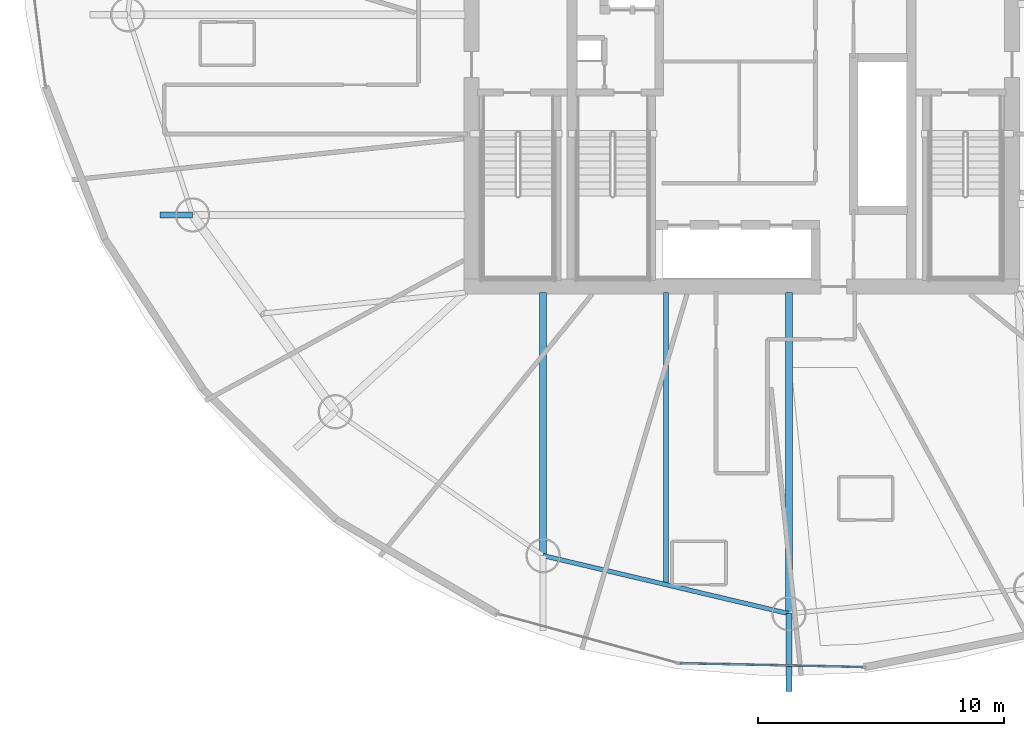
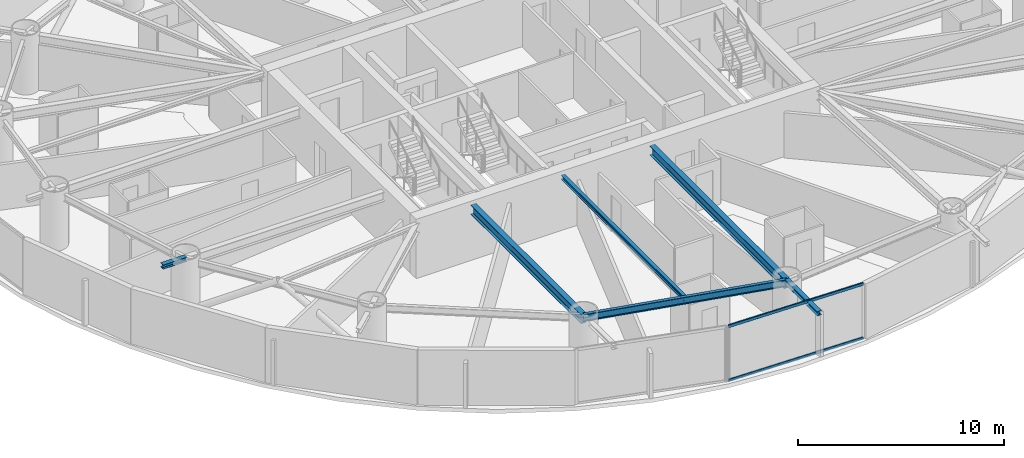
# One storey, part 3 of 26: 6 beams, 2 members, 1 element without a shape of its own.
"""IFC4 building model written with IfcOpenShell, lengths in metres."""

import ifcopenshell
import ifcopenshell.guid

model = None  # the IFC model being written
_history = None  # IfcOwnerHistory: only IFC2X3 demands one
_inside = {}  # id of a spatial element -> (the spatial element, [elements in it])
_under = {}  # id of a project, library or spatial element -> (it, [spatial elements below it])
_declared = {}  # id of a project -> (the project, [libraries it declares])
_typed = {}  # id of a type object -> (the type object, [elements of that type])
_made_of = {}  # id of a material, layer set ... -> (it, [elements and type objects made of it])


def new_model(schema):
    """Start an empty IFC model of exactly this schema.

    Asked for "IFC4X3", IfcOpenShell would pick the latest addendum, in which some entities
    have other attributes; the version numbers below select the first issue.
    IFC2X3 requires an IfcOwnerHistory on every rooted entity: one is made here for all.
    """
    global model, _history
    if schema == "IFC4X3":
        model = ifcopenshell.file(schema_version=(4, 3, 0, 0))
    else:
        model = ifcopenshell.file(schema=schema)
    _inside.clear()
    _under.clear()
    _declared.clear()
    _typed.clear()
    _made_of.clear()
    _history = None
    if model.schema == "IFC2X3":
        org = make("IfcOrganization", Name="unknown")
        user = make(
            "IfcPersonAndOrganization",
            ThePerson=make("IfcPerson", FamilyName="unknown"),
            TheOrganization=org,
        )
        app = make(
            "IfcApplication",
            ApplicationDeveloper=org,
            Version="unknown",
            ApplicationFullName="unknown",
            ApplicationIdentifier="unknown",
        )
        _history = make(
            "IfcOwnerHistory",
            OwningUser=user,
            OwningApplication=app,
            ChangeAction="ADDED",
            CreationDate=0,
        )
    return model


def make(cls, **values):
    """One entity of the class cls with the attributes given. An attribute that is None is left unset."""
    return model.create_entity(
        cls, **{name: value for name, value in values.items() if value is not None}
    )


def rooted(cls, **values):
    """An entity with a GlobalId (a new one), such as an element, a storey or a relation."""
    return make(cls, GlobalId=ifcopenshell.guid.new(), OwnerHistory=_history, **values)


def si_unit(unit_type, name, prefix=None):
    """IfcSIUnit, for example si_unit("LENGTHUNIT", "METRE", prefix="MILLI")."""
    return make("IfcSIUnit", UnitType=unit_type, Prefix=prefix, Name=name)


def assignment(units):
    """IfcUnitAssignment: the units of a project."""
    return None if units is None else make("IfcUnitAssignment", Units=units)


def point(xyz):
    """IfcCartesianPoint."""
    return None if xyz is None else make("IfcCartesianPoint", Coordinates=xyz)


def direction(xyz):
    """IfcDirection."""
    return None if xyz is None else make("IfcDirection", DirectionRatios=xyz)


def frame(location, z_axis=None, x_axis=None):
    """IfcAxis2Placement3D, a coordinate frame: its origin and axes. An axis left out is left unset."""
    return make(
        "IfcAxis2Placement3D",
        Location=point(location),
        Axis=direction(z_axis),
        RefDirection=direction(x_axis),
    )


def frame_2d(location, x_axis=None):
    """IfcAxis2Placement2D, a coordinate frame in the plane: its origin and x axis."""
    return make(
        "IfcAxis2Placement2D", Location=point(location), RefDirection=direction(x_axis)
    )


def origin():
    """The frame at (0, 0, 0) with its axes left unset."""
    return frame((0.0, 0.0, 0.0))


def origin_2d():
    """The frame at (0, 0) in the plane with its x axis left unset."""
    return frame_2d((0.0, 0.0))


def place(relative_to, where):
    """IfcLocalPlacement: puts the frame where relative to a parent placement (None: the world)."""
    return make(
        "IfcLocalPlacement", PlacementRelTo=relative_to, RelativePlacement=where
    )


def context(
    kind, dimensions, precision=None, world=None, true_north=None, identifier=None
):
    """IfcGeometricRepresentationContext, for example the 3D "Model" context."""
    return make(
        "IfcGeometricRepresentationContext",
        ContextIdentifier=identifier,
        ContextType=kind,
        CoordinateSpaceDimension=dimensions,
        Precision=precision,
        WorldCoordinateSystem=world,
        TrueNorth=true_north,
    )


def subcontext(parent, identifier, kind, view, scale=None):
    """IfcGeometricRepresentationSubContext, for example "Body" below "Model"."""
    return make(
        "IfcGeometricRepresentationSubContext",
        ContextIdentifier=identifier,
        ContextType=kind,
        ParentContext=parent,
        TargetScale=scale,
        TargetView=view,
    )


def project(units=None, contexts=None):
    """IfcProject with its units and contexts."""
    return rooted(
        "IfcProject",
        Name="project",
        RepresentationContexts=contexts,
        UnitsInContext=assignment(units),
    )


def spatial(cls, under=None, at=None, **own):
    """A site, building, storey or space (cls), placed at a placement, below another one or the project."""
    s = rooted(cls, ObjectPlacement=at, **own)
    if under is not None:
        _under.setdefault(under.id(), (under, []))[1].append(s)
    return s


def profile(cls, at=None, kind="AREA", **sizes):
    """A parametric profile (cls). Its sizes go by their IFC names, for example OverallWidth=200.0."""
    return make(cls, ProfileType=kind, Position=at, **sizes)


def hollow_rectangle(**sizes):
    """IfcRectangleHollowProfileDef."""
    return profile("IfcRectangleHollowProfileDef", **sizes)


def i_section(**sizes):
    """IfcIShapeProfileDef."""
    return profile("IfcIShapeProfileDef", **sizes)


def extrude(swept, where, along, depth):
    """IfcExtrudedAreaSolid: the profile swept, set in the frame where, extruded along a direction by depth."""
    return make(
        "IfcExtrudedAreaSolid",
        SweptArea=swept,
        Position=where,
        ExtrudedDirection=direction(along),
        Depth=depth,
    )


def shape(context_of_items, identifier, shape_type, items):
    """IfcShapeRepresentation: the items that make up one representation, for example the "Body"."""
    return make(
        "IfcShapeRepresentation",
        ContextOfItems=context_of_items,
        RepresentationIdentifier=identifier,
        RepresentationType=shape_type,
        Items=items,
    )


def material(Name=None, Category=None):
    """IfcMaterial."""
    return make("IfcMaterial", Name=Name, Category=Category)


def layer(
    of_material, thickness, ventilated=None, Name=None, Category=None, Priority=None
):
    """IfcMaterialLayer: one layer of a wall or slab, of a material (None: an air gap)."""
    return make(
        "IfcMaterialLayer",
        Material=of_material,
        LayerThickness=thickness,
        IsVentilated=ventilated,
        Name=Name,
        Category=Category,
        Priority=Priority,
    )


def layer_set(layers, Name=None):
    """IfcMaterialLayerSet."""
    return make("IfcMaterialLayerSet", MaterialLayers=layers, LayerSetName=Name)


def material_profile(
    of_material, cross_section, Name=None, Category=None, Priority=None
):
    """IfcMaterialProfile: a cross section and its material."""
    return make(
        "IfcMaterialProfile",
        Name=Name,
        Material=of_material,
        Profile=cross_section,
        Priority=Priority,
        Category=Category,
    )


def profile_set(profiles, Name=None, composite=None):
    """IfcMaterialProfileSet."""
    return make(
        "IfcMaterialProfileSet",
        Name=Name,
        MaterialProfiles=profiles,
        CompositeProfile=composite,
    )


def made_of(thing, what):
    """Note that an element or type object is made of a material, layer set ...; save() writes the relation."""
    if what is not None:
        _made_of.setdefault(what.id(), (what, []))[1].append(thing)
    return thing


def type_object(cls, material=None, **own):
    """A type object (cls), such as IfcWallType, which elements share."""
    return made_of(rooted(cls, **own), material)


def element(
    cls,
    number,
    at=None,
    inside=None,
    cuts=None,
    type_object=None,
    material=None,
    context=None,
    identifier="Body",
    shape_type=None,
    held_by="IfcProductDefinitionShape",
    body=None,
    shapes=None,
    **own,
):
    """One element of the class cls, such as IfcWall. Its Tag is "e" and its number.

    at: its placement. inside: the storey or other place that contains it. cuts: it is an
    opening in that element (IfcRelVoidsElement). A single representation is given by context,
    identifier, shape_type and body (its items); several are given by shapes. held_by: the class
    of the entity that holds the representations. save() writes the other relations.
    """
    e = rooted(cls, Tag="e%d" % number, ObjectPlacement=at, **own)
    if body is not None:
        shapes = [shape(context, identifier, shape_type, body)]
    if shapes is not None:
        e.Representation = make(held_by, Representations=shapes)
    if inside is not None:
        _inside.setdefault(inside.id(), (inside, []))[1].append(e)
    if cuts is not None:
        rooted(
            "IfcRelVoidsElement", RelatingBuildingElement=cuts, RelatedOpeningElement=e
        )
    if type_object is not None:
        _typed.setdefault(type_object.id(), (type_object, []))[1].append(e)
    return made_of(e, material)


def aggregate(whole, parts):
    """IfcRelAggregates: a whole, such as a stair, and the parts it consists of."""
    return rooted("IfcRelAggregates", RelatingObject=whole, RelatedObjects=parts)


def save(model, path):
    """Write the relations noted so far, then the file.

    IfcRelAggregates (storeys below a building ...), IfcRelContainedInSpatialStructure (elements
    in a storey), IfcRelDefinesByType, IfcRelAssociatesMaterial and IfcRelDeclares: one each for
    every whole, place, type object, material and project.
    """
    for whole, parts in _under.values():
        aggregate(whole, parts)
    for where, things in _inside.values():
        rooted(
            "IfcRelContainedInSpatialStructure",
            RelatedElements=things,
            RelatingStructure=where,
        )
    for kind, things in _typed.values():
        rooted("IfcRelDefinesByType", RelatedObjects=things, RelatingType=kind)
    for what, things in _made_of.values():
        rooted("IfcRelAssociatesMaterial", RelatedObjects=things, RelatingMaterial=what)
    for by, libraries in _declared.values():
        rooted("IfcRelDeclares", RelatingContext=by, RelatedDefinitions=libraries)
    model.write(path)


model = new_model("IFC4")

# Units and contexts
model_context = context("Model", 3, precision=1e-05, world=origin(), true_north=direction((0.0, 1.0)))
body_context = subcontext(model_context, "Body", "Model", "MODEL_VIEW")
ifc_project = project(units=[si_unit("LENGTHUNIT", "METRE"), si_unit("AREAUNIT", "SQUARE_METRE"), si_unit("VOLUMEUNIT", "CUBIC_METRE"), si_unit("PLANEANGLEUNIT", "RADIAN"), si_unit("MASSUNIT", "GRAM", prefix="KILO")], contexts=[model_context])

# Site, building, storey
site_placement = place(None, origin())
site = spatial("IfcSite", under=ifc_project, at=site_placement, CompositionType="ELEMENT")
building_placement = place(site_placement, origin())
building = spatial("IfcBuilding", under=site, at=building_placement, Name="Bramvorn Convention Spire", CompositionType="ELEMENT")
storey_placement = place(building_placement, frame((0.0, 0.0, 123.800048828125)))
storey = spatial("IfcBuildingStorey", under=building, at=storey_placement, Name="L30", CompositionType="ELEMENT", Elevation=123.800048828125)

# Beams
ifc_material_1 = material(Name="Steel CSA G40.21 Grade 350 (350W)", Category="steel")
ifc_material_profile_1 = material_profile(ifc_material_1, i_section(OverallWidth=0.201904296875, OverallDepth=0.2470703125, WebThickness=0.00732421875, FlangeThickness=0.010986328125, FilletRadius=0.011962890625, at=origin_2d()))
ifc_profile_set_1 = profile_set([ifc_material_profile_1], Name="Steel CSA G40.21 Grade 350 (350W) - W250X49")
beam_type_1 = type_object("IfcBeamType", Name="BM-W250X49", PredefinedType="JOIST", material=ifc_profile_set_1)
beam_1_placement = place(storey_placement, frame((34.920654296875, 18.550048828125, 3.136474609375), z_axis=(0.0, -1.0, 0.0), x_axis=(1.0, 0.0, 0.0)))
element("IfcBeam", 1, at=beam_1_placement, inside=storey, type_object=beam_type_1, Name="L30 composite floor joist 13", PredefinedType="JOIST", context=body_context, shape_type="SweptSolid", body=[
    extrude(i_section(OverallWidth=0.201904296875, OverallDepth=0.2470703125, WebThickness=0.00732421875, FlangeThickness=0.010986328125, FilletRadius=0.011962890625, at=origin_2d()), origin(), (0.0, 0.0, 1.0), 11.8857421875),
])
ifc_material_profile_2 = material_profile(ifc_material_1, i_section(OverallWidth=0.25390625, OverallDepth=0.2529296875, WebThickness=0.008544921875, FlangeThickness=0.01416015625, FilletRadius=0.011962890625, at=origin_2d()))
ifc_profile_set_2 = profile_set([ifc_material_profile_2], Name="Steel CSA G40.21 Grade 350 (350W) - W250X73")
beam_type_2 = type_object("IfcBeamType", Name="BM-W250X73", PredefinedType="BEAM", material=ifc_profile_set_2)
beam_2_placement = place(storey_placement, frame((15.654296875, 21.706787109375, 3.133544921875), z_axis=(-1.0, 0.0, 0.0), x_axis=(0.0, -1.0, 0.0)))
element("IfcBeam", 2, at=beam_2_placement, inside=storey, type_object=beam_type_2, Name="L30 slab-edge cantilever tip beam MC11", PredefinedType="BEAM", context=body_context, shape_type="SweptSolid", body=[
    extrude(i_section(OverallWidth=0.25390625, OverallDepth=0.2529296875, WebThickness=0.008544921875, FlangeThickness=0.01416015625, FilletRadius=0.011962890625, at=origin_2d()), origin(), (0.0, 0.0, 1.0), 1.323974609375),
])
beam_3_placement = place(storey_placement, frame((39.924072265625, 5.482666015625, 3.133544921875), z_axis=(0.0, -1.0, 0.0), x_axis=(1.0, 0.0, 0.0)))
element("IfcBeam", 3, at=beam_3_placement, inside=storey, type_object=beam_type_2, Name="L30 slab-edge cantilever tip beam MC14", PredefinedType="BEAM", context=body_context, shape_type="SweptSolid", body=[
    extrude(i_section(OverallWidth=0.25390625, OverallDepth=0.2529296875, WebThickness=0.008544921875, FlangeThickness=0.01416015625, FilletRadius=0.011962890625, at=origin_2d()), origin(), (0.0, 0.0, 1.0), 3.16162109375),
])
ifc_material_profile_3 = material_profile(ifc_material_1, i_section(OverallWidth=0.180908203125, OverallDepth=0.4169921875, WebThickness=0.010986328125, FlangeThickness=0.018310546875, FilletRadius=0.01611328125, at=origin_2d()))
ifc_profile_set_3 = profile_set([ifc_material_profile_3], Name="Steel CSA G40.21 Grade 350 (350W) - W410X85")
beam_type_3 = type_object("IfcBeamType", Name="BM-W410X85", PredefinedType="JOIST", material=ifc_profile_set_3)
beam_4_placement = place(storey_placement, frame((29.917236328125, 7.845947265625, 3.051513671875), z_axis=(0.97322750491, -0.229843911572, 0.0), x_axis=(0.229843911572, 0.97322750491, 0.0)))
element("IfcBeam", 4, at=beam_4_placement, inside=storey, type_object=beam_type_3, Name="L30 mega-column ring beam 13", PredefinedType="JOIST", context=body_context, shape_type="SweptSolid", body=[
    extrude(i_section(OverallWidth=0.180908203125, OverallDepth=0.4169921875, WebThickness=0.010986328125, FlangeThickness=0.018310546875, FilletRadius=0.01611328125, at=origin_2d()), origin(), (0.0, 0.0, 1.0), 10.2822265625),
])
ifc_material_profile_4 = material_profile(ifc_material_1, i_section(OverallWidth=0.2919921875, OverallDepth=0.551025390625, WebThickness=0.01513671875, FlangeThickness=0.0244140625, FilletRadius=0.01904296875, at=origin_2d()))
ifc_profile_set_4 = profile_set([ifc_material_profile_4], Name="Steel CSA G40.21 Grade 350 (350W) - W530X182")
beam_type_4 = type_object("IfcBeamType", Name="BM-W530X182", PredefinedType="BEAM", material=ifc_profile_set_4)
beam_5_placement = place(storey_placement, frame((29.917236328125, 18.550048828125, 2.984375), z_axis=(0.0, -1.0, 0.0), x_axis=(1.0, 0.0, 0.0)))
element("IfcBeam", 5, at=beam_5_placement, inside=storey, type_object=beam_type_4, Name="L30 radial floor girder MC13", PredefinedType="BEAM", context=body_context, shape_type="SweptSolid", body=[
    extrude(i_section(OverallWidth=0.2919921875, OverallDepth=0.551025390625, WebThickness=0.01513671875, FlangeThickness=0.0244140625, FilletRadius=0.01904296875, at=origin_2d()), origin(), (0.0, 0.0, 1.0), 10.7041015625),
])
beam_6_placement = place(storey_placement, frame((39.924072265625, 18.550048828125, 2.984375), z_axis=(0.0, -1.0, 0.0), x_axis=(1.0, 0.0, 0.0)))
element("IfcBeam", 6, at=beam_6_placement, inside=storey, type_object=beam_type_4, Name="L30 radial floor girder MC14", PredefinedType="BEAM", context=body_context, shape_type="SweptSolid", body=[
    extrude(i_section(OverallWidth=0.2919921875, OverallDepth=0.551025390625, WebThickness=0.01513671875, FlangeThickness=0.0244140625, FilletRadius=0.01904296875, at=origin_2d()), origin(), (0.0, 0.0, 1.0), 13.0673828125),
])

# Curtain wall, members
ifc_material_2 = material(Name="Anodised Bronze Unitised Curtain Wall", Category="aluminium")
ifc_layer = layer(ifc_material_2, 0.179931640625)
ifc_layer_set = layer_set([ifc_layer], Name="Anodised Bronze Unitised Curtain Wall - CW-HTL-FRIT")
curtain_wall_type = type_object("IfcCurtainWallType", Name="CW-HTL-FRIT", PredefinedType="USERDEFINED", material=ifc_layer_set)
curtain_wall_placement = place(storey_placement, origin())
curtain_wall = element("IfcCurtainWall", 7, at=curtain_wall_placement, inside=storey, type_object=curtain_wall_type, Name="L30 fritted glass curtain wall 20", ObjectType="UNITISED CURTAIN WALL", PredefinedType="USERDEFINED")
ifc_material_3 = material(Name="Anodised Bronze Aluminium 6063-T6", Category="aluminium")
ifc_material_profile_5 = material_profile(ifc_material_3, hollow_rectangle(XDim=0.080078125, YDim=0.159912109375, WallThickness=0.00390625, InnerFilletRadius=0.0009765625, OuterFilletRadius=0.00390625, at=origin_2d()))
ifc_profile_set_5 = profile_set([ifc_material_profile_5], Name="Anodised Bronze Aluminium 6063-T6 - CWT80X160")
member_type = type_object("IfcMemberType", Name="CW-TRN-150", PredefinedType="USERDEFINED", material=ifc_profile_set_5)
member_1_placement = place(storey_placement, frame((42.926513671875, 3.309814453125, 0.030029296875), z_axis=(-0.99978000334, 0.020974864031, 0.0), x_axis=(-0.020974864031, -0.99978000334, 0.0)))
member_1 = element("IfcMember", 8, at=member_1_placement, type_object=member_type, Name="CW2 transom 1.1", ObjectType="TRANSOM", PredefinedType="USERDEFINED", context=body_context, shape_type="SweptSolid", body=[
    extrude(hollow_rectangle(XDim=0.080078125, YDim=0.159912109375, WallThickness=0.00390625, InnerFilletRadius=0.0009765625, OuterFilletRadius=0.00390625, at=origin_2d()), origin(), (0.0, 0.0, 1.0), 7.449462890625),
])
member_2_placement = place(storey_placement, frame((42.926513671875, 3.309814453125, 3.22998046875), z_axis=(-0.99978000334, 0.020974864031, 0.0), x_axis=(-0.020974864031, -0.99978000334, 0.0)))
member_2 = element("IfcMember", 9, at=member_2_placement, type_object=member_type, Name="CW2 transom 1.2", ObjectType="TRANSOM", PredefinedType="USERDEFINED", context=body_context, shape_type="SweptSolid", body=[
    extrude(hollow_rectangle(XDim=0.080078125, YDim=0.159912109375, WallThickness=0.00390625, InnerFilletRadius=0.0009765625, OuterFilletRadius=0.00390625, at=origin_2d()), origin(), (0.0, 0.0, 1.0), 7.449462890625),
])
aggregate(curtain_wall, [member_1, member_2])

save(model, "model.ifc")
